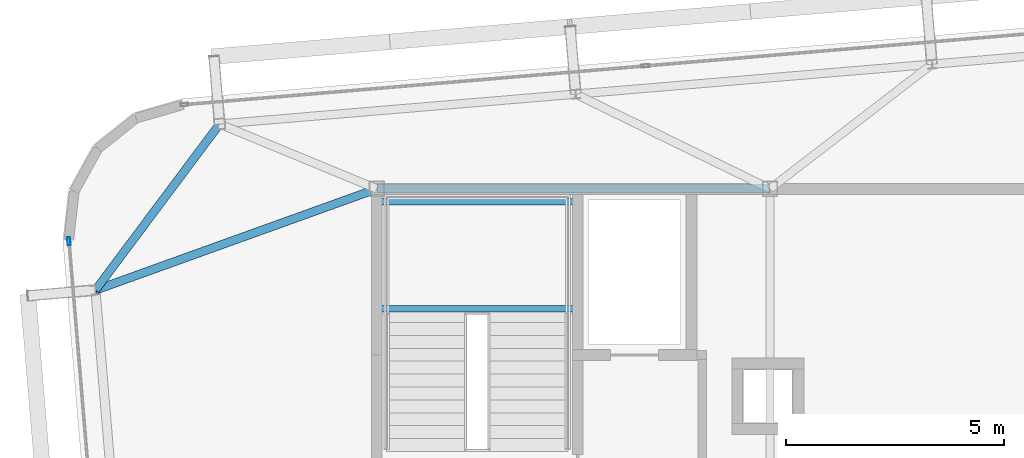
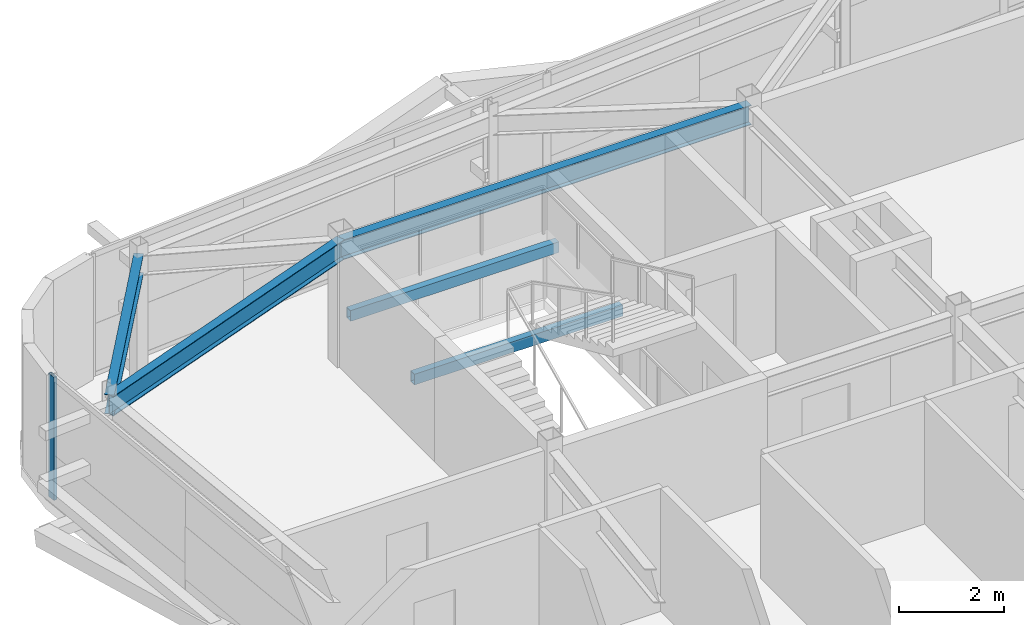
# One storey, part 14 of 39: 5 beams, 1 member, 1 element without a shape of its own.
"""IFC4 building model written with IfcOpenShell, lengths in metres."""

import ifcopenshell
import ifcopenshell.guid

model = None  # the IFC model being written
_history = None  # IfcOwnerHistory: only IFC2X3 demands one
_inside = {}  # id of a spatial element -> (the spatial element, [elements in it])
_under = {}  # id of a project, library or spatial element -> (it, [spatial elements below it])
_declared = {}  # id of a project -> (the project, [libraries it declares])
_typed = {}  # id of a type object -> (the type object, [elements of that type])
_made_of = {}  # id of a material, layer set ... -> (it, [elements and type objects made of it])


def new_model(schema):
    """Start an empty IFC model of exactly this schema.

    Asked for "IFC4X3", IfcOpenShell would pick the latest addendum, in which some entities
    have other attributes; the version numbers below select the first issue.
    IFC2X3 requires an IfcOwnerHistory on every rooted entity: one is made here for all.
    """
    global model, _history
    if schema == "IFC4X3":
        model = ifcopenshell.file(schema_version=(4, 3, 0, 0))
    else:
        model = ifcopenshell.file(schema=schema)
    _inside.clear()
    _under.clear()
    _declared.clear()
    _typed.clear()
    _made_of.clear()
    _history = None
    if model.schema == "IFC2X3":
        org = make("IfcOrganization", Name="unknown")
        user = make(
            "IfcPersonAndOrganization",
            ThePerson=make("IfcPerson", FamilyName="unknown"),
            TheOrganization=org,
        )
        app = make(
            "IfcApplication",
            ApplicationDeveloper=org,
            Version="unknown",
            ApplicationFullName="unknown",
            ApplicationIdentifier="unknown",
        )
        _history = make(
            "IfcOwnerHistory",
            OwningUser=user,
            OwningApplication=app,
            ChangeAction="ADDED",
            CreationDate=0,
        )
    return model


def make(cls, **values):
    """One entity of the class cls with the attributes given. An attribute that is None is left unset."""
    return model.create_entity(
        cls, **{name: value for name, value in values.items() if value is not None}
    )


def rooted(cls, **values):
    """An entity with a GlobalId (a new one), such as an element, a storey or a relation."""
    return make(cls, GlobalId=ifcopenshell.guid.new(), OwnerHistory=_history, **values)


def si_unit(unit_type, name, prefix=None):
    """IfcSIUnit, for example si_unit("LENGTHUNIT", "METRE", prefix="MILLI")."""
    return make("IfcSIUnit", UnitType=unit_type, Prefix=prefix, Name=name)


def assignment(units):
    """IfcUnitAssignment: the units of a project."""
    return None if units is None else make("IfcUnitAssignment", Units=units)


def point(xyz):
    """IfcCartesianPoint."""
    return None if xyz is None else make("IfcCartesianPoint", Coordinates=xyz)


def direction(xyz):
    """IfcDirection."""
    return None if xyz is None else make("IfcDirection", DirectionRatios=xyz)


def frame(location, z_axis=None, x_axis=None):
    """IfcAxis2Placement3D, a coordinate frame: its origin and axes. An axis left out is left unset."""
    return make(
        "IfcAxis2Placement3D",
        Location=point(location),
        Axis=direction(z_axis),
        RefDirection=direction(x_axis),
    )


def frame_2d(location, x_axis=None):
    """IfcAxis2Placement2D, a coordinate frame in the plane: its origin and x axis."""
    return make(
        "IfcAxis2Placement2D", Location=point(location), RefDirection=direction(x_axis)
    )


def origin():
    """The frame at (0, 0, 0) with its axes left unset."""
    return frame((0.0, 0.0, 0.0))


def origin_2d():
    """The frame at (0, 0) in the plane with its x axis left unset."""
    return frame_2d((0.0, 0.0))


def place(relative_to, where):
    """IfcLocalPlacement: puts the frame where relative to a parent placement (None: the world)."""
    return make(
        "IfcLocalPlacement", PlacementRelTo=relative_to, RelativePlacement=where
    )


def context(
    kind, dimensions, precision=None, world=None, true_north=None, identifier=None
):
    """IfcGeometricRepresentationContext, for example the 3D "Model" context."""
    return make(
        "IfcGeometricRepresentationContext",
        ContextIdentifier=identifier,
        ContextType=kind,
        CoordinateSpaceDimension=dimensions,
        Precision=precision,
        WorldCoordinateSystem=world,
        TrueNorth=true_north,
    )


def subcontext(parent, identifier, kind, view, scale=None):
    """IfcGeometricRepresentationSubContext, for example "Body" below "Model"."""
    return make(
        "IfcGeometricRepresentationSubContext",
        ContextIdentifier=identifier,
        ContextType=kind,
        ParentContext=parent,
        TargetScale=scale,
        TargetView=view,
    )


def project(units=None, contexts=None):
    """IfcProject with its units and contexts."""
    return rooted(
        "IfcProject",
        Name="project",
        RepresentationContexts=contexts,
        UnitsInContext=assignment(units),
    )


def spatial(cls, under=None, at=None, **own):
    """A site, building, storey or space (cls), placed at a placement, below another one or the project."""
    s = rooted(cls, ObjectPlacement=at, **own)
    if under is not None:
        _under.setdefault(under.id(), (under, []))[1].append(s)
    return s


def profile(cls, at=None, kind="AREA", **sizes):
    """A parametric profile (cls). Its sizes go by their IFC names, for example OverallWidth=200.0."""
    return make(cls, ProfileType=kind, Position=at, **sizes)


def hollow_rectangle(**sizes):
    """IfcRectangleHollowProfileDef."""
    return profile("IfcRectangleHollowProfileDef", **sizes)


def i_section(**sizes):
    """IfcIShapeProfileDef."""
    return profile("IfcIShapeProfileDef", **sizes)


def extrude(swept, where, along, depth):
    """IfcExtrudedAreaSolid: the profile swept, set in the frame where, extruded along a direction by depth."""
    return make(
        "IfcExtrudedAreaSolid",
        SweptArea=swept,
        Position=where,
        ExtrudedDirection=direction(along),
        Depth=depth,
    )


def shape(context_of_items, identifier, shape_type, items):
    """IfcShapeRepresentation: the items that make up one representation, for example the "Body"."""
    return make(
        "IfcShapeRepresentation",
        ContextOfItems=context_of_items,
        RepresentationIdentifier=identifier,
        RepresentationType=shape_type,
        Items=items,
    )


def source(mapping_origin, context_of_items, identifier, shape_type, items):
    """IfcRepresentationMap: a shape defined once, which mapped items show again and again."""
    return make(
        "IfcRepresentationMap",
        MappingOrigin=mapping_origin,
        MappedRepresentation=shape(context_of_items, identifier, shape_type, items),
    )


def transform(
    local_origin,
    x_axis=None,
    y_axis=None,
    z_axis=None,
    scale=None,
    scale2=None,
    scale3=None,
    uniform=True,
):
    """IfcCartesianTransformationOperator3D, or its non-uniform kind. x_axis, y_axis, z_axis: its Axis1, 2, 3."""
    if uniform:
        return make(
            "IfcCartesianTransformationOperator3D",
            Axis1=direction(x_axis),
            Axis2=direction(y_axis),
            LocalOrigin=point(local_origin),
            Scale=scale,
            Axis3=direction(z_axis),
        )
    return make(
        "IfcCartesianTransformationOperator3DnonUniform",
        Axis1=direction(x_axis),
        Axis2=direction(y_axis),
        LocalOrigin=point(local_origin),
        Scale=scale,
        Axis3=direction(z_axis),
        Scale2=scale2,
        Scale3=scale3,
    )


def mapped(mapping_source, mapping_target):
    """IfcMappedItem: shows the shape of a source again, moved by a transform."""
    return make(
        "IfcMappedItem", MappingSource=mapping_source, MappingTarget=mapping_target
    )


def material(Name=None, Category=None):
    """IfcMaterial."""
    return make("IfcMaterial", Name=Name, Category=Category)


def layer(
    of_material, thickness, ventilated=None, Name=None, Category=None, Priority=None
):
    """IfcMaterialLayer: one layer of a wall or slab, of a material (None: an air gap)."""
    return make(
        "IfcMaterialLayer",
        Material=of_material,
        LayerThickness=thickness,
        IsVentilated=ventilated,
        Name=Name,
        Category=Category,
        Priority=Priority,
    )


def layer_set(layers, Name=None):
    """IfcMaterialLayerSet."""
    return make("IfcMaterialLayerSet", MaterialLayers=layers, LayerSetName=Name)


def material_profile(
    of_material, cross_section, Name=None, Category=None, Priority=None
):
    """IfcMaterialProfile: a cross section and its material."""
    return make(
        "IfcMaterialProfile",
        Name=Name,
        Material=of_material,
        Profile=cross_section,
        Priority=Priority,
        Category=Category,
    )


def profile_set(profiles, Name=None, composite=None):
    """IfcMaterialProfileSet."""
    return make(
        "IfcMaterialProfileSet",
        Name=Name,
        MaterialProfiles=profiles,
        CompositeProfile=composite,
    )


def made_of(thing, what):
    """Note that an element or type object is made of a material, layer set ...; save() writes the relation."""
    if what is not None:
        _made_of.setdefault(what.id(), (what, []))[1].append(thing)
    return thing


def type_object(cls, material=None, **own):
    """A type object (cls), such as IfcWallType, which elements share."""
    return made_of(rooted(cls, **own), material)


def element(
    cls,
    number,
    at=None,
    inside=None,
    cuts=None,
    type_object=None,
    material=None,
    context=None,
    identifier="Body",
    shape_type=None,
    held_by="IfcProductDefinitionShape",
    body=None,
    shapes=None,
    **own,
):
    """One element of the class cls, such as IfcWall. Its Tag is "e" and its number.

    at: its placement. inside: the storey or other place that contains it. cuts: it is an
    opening in that element (IfcRelVoidsElement). A single representation is given by context,
    identifier, shape_type and body (its items); several are given by shapes. held_by: the class
    of the entity that holds the representations. save() writes the other relations.
    """
    e = rooted(cls, Tag="e%d" % number, ObjectPlacement=at, **own)
    if body is not None:
        shapes = [shape(context, identifier, shape_type, body)]
    if shapes is not None:
        e.Representation = make(held_by, Representations=shapes)
    if inside is not None:
        _inside.setdefault(inside.id(), (inside, []))[1].append(e)
    if cuts is not None:
        rooted(
            "IfcRelVoidsElement", RelatingBuildingElement=cuts, RelatedOpeningElement=e
        )
    if type_object is not None:
        _typed.setdefault(type_object.id(), (type_object, []))[1].append(e)
    return made_of(e, material)


def aggregate(whole, parts):
    """IfcRelAggregates: a whole, such as a stair, and the parts it consists of."""
    return rooted("IfcRelAggregates", RelatingObject=whole, RelatedObjects=parts)


def save(model, path):
    """Write the relations noted so far, then the file.

    IfcRelAggregates (storeys below a building ...), IfcRelContainedInSpatialStructure (elements
    in a storey), IfcRelDefinesByType, IfcRelAssociatesMaterial and IfcRelDeclares: one each for
    every whole, place, type object, material and project.
    """
    for whole, parts in _under.values():
        aggregate(whole, parts)
    for where, things in _inside.values():
        rooted(
            "IfcRelContainedInSpatialStructure",
            RelatedElements=things,
            RelatingStructure=where,
        )
    for kind, things in _typed.values():
        rooted("IfcRelDefinesByType", RelatedObjects=things, RelatingType=kind)
    for what, things in _made_of.values():
        rooted("IfcRelAssociatesMaterial", RelatedObjects=things, RelatingMaterial=what)
    for by, libraries in _declared.values():
        rooted("IfcRelDeclares", RelatingContext=by, RelatedDefinitions=libraries)
    model.write(path)


model = new_model("IFC4")

# Units and contexts
model_context = context("Model", 3, precision=1e-05, world=origin(), true_north=direction((0.0, 1.0)))
body_context = subcontext(model_context, "Body", "Model", "MODEL_VIEW")
ifc_project = project(units=[si_unit("LENGTHUNIT", "METRE"), si_unit("AREAUNIT", "SQUARE_METRE"), si_unit("VOLUMEUNIT", "CUBIC_METRE"), si_unit("PLANEANGLEUNIT", "RADIAN"), si_unit("MASSUNIT", "GRAM", prefix="KILO")], contexts=[model_context])

# Site, building, storey
site_placement = place(None, origin())
site = spatial("IfcSite", under=ifc_project, at=site_placement, CompositionType="ELEMENT")
building_placement = place(site_placement, origin())
building = spatial("IfcBuilding", under=site, at=building_placement, Name="Taldren Reach Tower", CompositionType="ELEMENT")
storey_placement = place(building_placement, frame((0.0, 0.0, 204.050048828125)))
storey = spatial("IfcBuildingStorey", under=building, at=storey_placement, Name="L62", CompositionType="ELEMENT", Elevation=204.050048828125)

# Beams
ifc_material_1 = material(Name="Steel Gr 350 (350PLUS)", Category="steel")
ifc_material_profile_1 = material_profile(ifc_material_1, i_section(OverallWidth=0.19091796875, OverallDepth=0.4599609375, WebThickness=0.010009765625, FlangeThickness=0.01611328125, at=origin_2d()), Name="460UB82.1")
ifc_profile_set_1 = profile_set([ifc_material_profile_1], Name="Steel Gr 350 (350PLUS)")
beam_type_1 = type_object("IfcBeamType", Name="BM-UB460A", PredefinedType="BEAM", material=ifc_profile_set_1)
shared_shape_1 = source(origin(), body_context, "Body", "SweptSolid", [
    extrude(i_section(OverallWidth=0.19091796875, OverallDepth=0.4599609375, WebThickness=0.010009765625, FlangeThickness=0.01611328125, at=origin_2d()), origin(), (0.0, 0.0, 1.0), 9.0),
])
beam_1_placement = place(storey_placement, frame((19.0, 32.0, 2.639892578125), z_axis=(1.0, 0.0, 0.0), x_axis=(0.0, 1.0, 0.0)))
element("IfcBeam", 1, at=beam_1_placement, inside=storey, type_object=beam_type_1, Name="Core-spine girder L62-SP04", PredefinedType="BEAM", context=body_context, shape_type="MappedRepresentation", body=[
    mapped(shared_shape_1, transform((0.0, 0.0, 0.0), scale=1.0)),
])
ifc_material_profile_2 = material_profile(ifc_material_1, i_section(OverallWidth=0.18994140625, OverallDepth=0.4541015625, WebThickness=0.008544921875, FlangeThickness=0.0126953125, at=origin_2d()), Name="460UB67.1")
ifc_profile_set_2 = profile_set([ifc_material_profile_2], Name="Steel Gr 350 (350PLUS)")
beam_type_2 = type_object("IfcBeamType", Name="SP-UB460B", PredefinedType="SPANDREL", material=ifc_profile_set_2)
shared_shape_2 = source(origin(), body_context, "Body", "SweptSolid", [
    extrude(i_section(OverallWidth=0.18994140625, OverallDepth=0.4541015625, WebThickness=0.008544921875, FlangeThickness=0.0126953125, at=origin_2d()), origin(), (0.0, 0.0, 1.0), 4.74609375),
])
beam_2_placement = place(storey_placement, frame((15.40380859375, 33.483642578125, 2.64306640625), z_axis=(-0.598764719121, -0.800924972226, 0.0), x_axis=(0.800924972226, -0.598764719121, 0.0)))
element("IfcBeam", 2, at=beam_2_placement, inside=storey, type_object=beam_type_2, Name="Perimeter spandrel B4 N1-W3 L62", PredefinedType="SPANDREL", context=body_context, shape_type="MappedRepresentation", body=[
    mapped(shared_shape_2, transform((0.0, 0.0, 0.0), scale=1.0)),
])
shared_shape_3 = source(origin(), body_context, "Body", "SweptSolid", [
    extrude(i_section(OverallWidth=0.19091796875, OverallDepth=0.4599609375, WebThickness=0.010009765625, FlangeThickness=0.01611328125, at=origin_2d()), origin(), (0.0, 0.0, 1.0), 6.842529296875),
])
beam_3_placement = place(storey_placement, frame((19.0, 32.0, 2.639892578125), z_axis=(-0.940889686088, -0.33871315093, 0.0), x_axis=(0.33871315093, -0.940889686088, 0.0)))
element("IfcBeam", 3, at=beam_3_placement, inside=storey, type_object=beam_type_1, Name="Primary floor girder B4-W3 L62", PredefinedType="BEAM", context=body_context, shape_type="MappedRepresentation", body=[
    mapped(shared_shape_3, transform((0.0, 0.0, 0.0), scale=1.0)),
])

# Curtain wall, member
ifc_material_2 = material(Name="Aluminium and Low-E Glass Unitised System", Category="aluminium")
ifc_layer = layer(ifc_material_2, 0.159912109375)
ifc_layer_set = layer_set([ifc_layer], Name="Aluminium and Low-E Glass Unitised System")
curtain_wall_type = type_object("IfcCurtainWallType", Name="CW-SYS-5", PredefinedType="NOTDEFINED", material=ifc_layer_set)
curtain_wall_placement = place(storey_placement, origin())
curtain_wall = element("IfcCurtainWall", 4, at=curtain_wall_placement, inside=storey, type_object=curtain_wall_type, Name="Unitised curtain wall CW-L62-W", PredefinedType="NOTDEFINED")
ifc_material_3 = material(Name="Anodised Aluminium 6063-T6", Category="aluminium")
ifc_material_profile_3 = material_profile(ifc_material_3, hollow_rectangle(XDim=0.070068359375, YDim=0.179931640625, WallThickness=0.00390625, at=origin_2d()), Name="ALU-180x70x4RHS")
ifc_profile_set_3 = profile_set([ifc_material_profile_3], Name="Anodised Aluminium 6063-T6")
member_type = type_object("IfcMemberType", Name="CW-MUL-180", PredefinedType="MULLION", material=ifc_profile_set_3)
shared_shape_4 = source(origin(), body_context, "Body", "SweptSolid", [
    extrude(hollow_rectangle(XDim=0.070068359375, YDim=0.179931640625, WallThickness=0.00390625, at=origin_2d()), origin(), (0.0, 0.0, 1.0), 2.869873046875),
])
member_placement = place(storey_placement, frame((11.956298828125, 30.800537109375, 0.0), z_axis=(0.0, 0.0, 1.0), x_axis=(0.996492847789, 0.083677979808, 0.0)))
member = element("IfcMember", 5, at=member_placement, type_object=member_type, Name="CW-5 mullion 1", PredefinedType="MULLION", context=body_context, shape_type="MappedRepresentation", body=[
    mapped(shared_shape_4, transform((0.0, 0.0, 0.0), scale=1.0)),
])
aggregate(curtain_wall, [member])

# Beams
ifc_material_4 = material(Name="Steel Gr 350 (C350L0)", Category="steel")
ifc_material_profile_4 = material_profile(ifc_material_4, hollow_rectangle(XDim=0.14990234375, YDim=0.25, WallThickness=0.009033203125, at=origin_2d()), Name="250x150x9.0RHS")
ifc_profile_set_4 = profile_set([ifc_material_profile_4], Name="Steel Gr 350 (C350L0)")
beam_type_3 = type_object("IfcBeamType", Name="LN-RHS250", PredefinedType="LINTEL", material=ifc_profile_set_4)
shared_shape_5 = source(origin(), body_context, "Body", "SweptSolid", [
    extrude(hollow_rectangle(XDim=0.14990234375, YDim=0.25, WallThickness=0.009033203125, at=origin_2d()), origin(), (0.0, 0.0, 1.0), 4.60009765625),
])
for number, where, z_axis, x_axis, name in (
    (6, (19.0, 29.2548828125, 1.27001953125), (1.0, 0.0, 0.0), (0.0, 1.0, 0.0), "Stair half-landing support beam ST1-L62-1"),
    (7, (19.0, 31.699951171875, 1.27001953125), (1.0, 0.0, 0.0), (0.0, 1.0, 0.0), "Stair half-landing support beam ST1-L62-2"),
):
    element("IfcBeam", number, at=place(storey_placement, frame(where, z_axis=z_axis, x_axis=x_axis)), inside=storey, type_object=beam_type_3, Name=name, PredefinedType="LINTEL", context=body_context, shape_type="MappedRepresentation", body=[
        mapped(shared_shape_5, transform((0.0, 0.0, 0.0), scale=1.0)),
    ])

save(model, "model.ifc")
